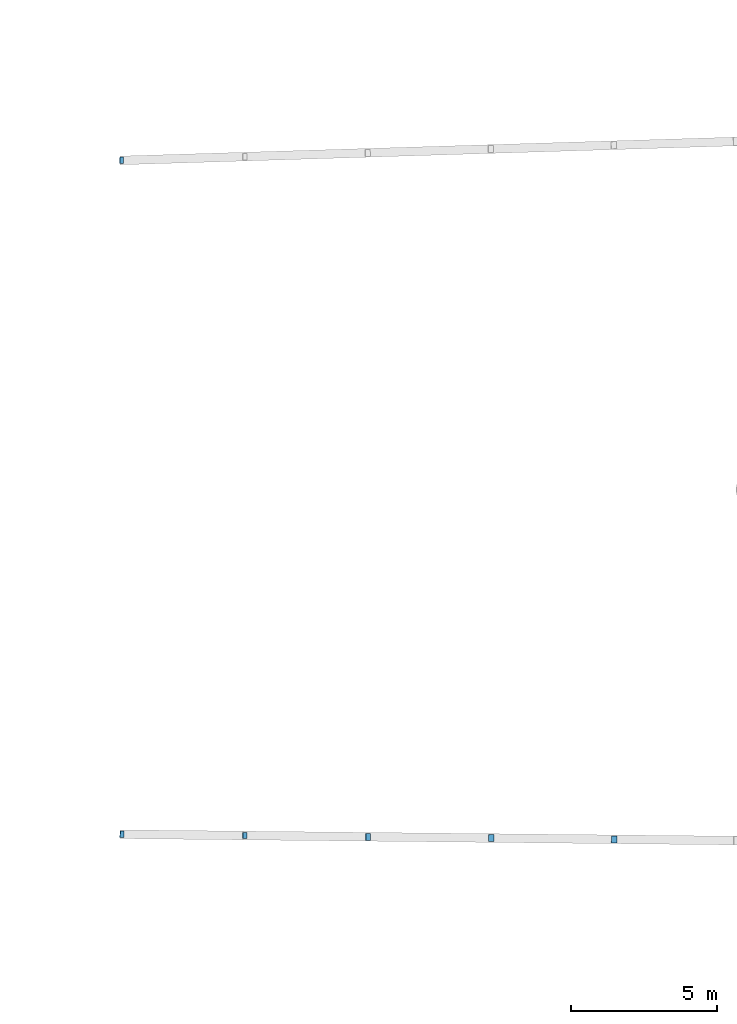
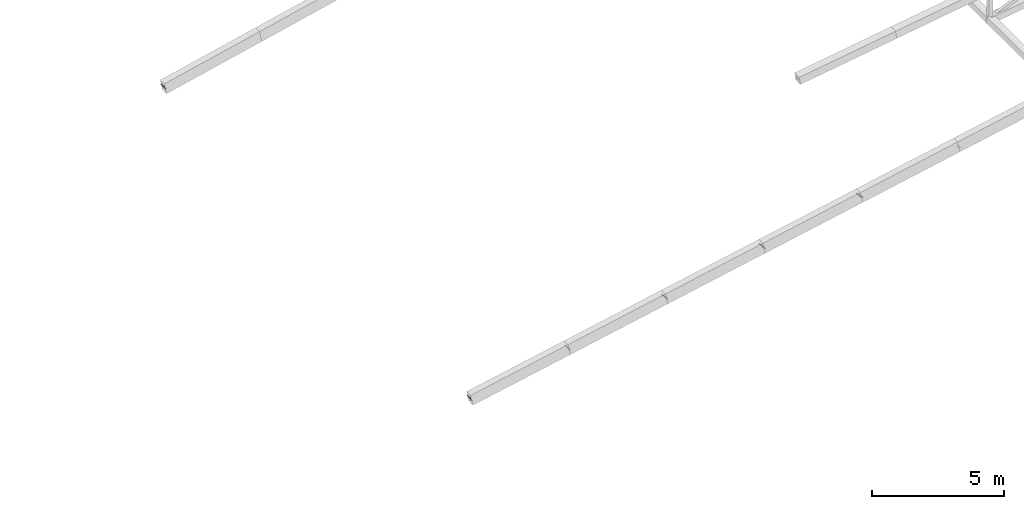
# One storey, part 152 of 188: 6 discrete accessories.
"""IFC4 building model written with IfcOpenShell, lengths in metres."""

import ifcopenshell
import ifcopenshell.guid

model = None  # the IFC model being written
_history = None  # IfcOwnerHistory: only IFC2X3 demands one
_inside = {}  # id of a spatial element -> (the spatial element, [elements in it])
_under = {}  # id of a project, library or spatial element -> (it, [spatial elements below it])
_declared = {}  # id of a project -> (the project, [libraries it declares])
_typed = {}  # id of a type object -> (the type object, [elements of that type])
_made_of = {}  # id of a material, layer set ... -> (it, [elements and type objects made of it])


def new_model(schema):
    """Start an empty IFC model of exactly this schema.

    Asked for "IFC4X3", IfcOpenShell would pick the latest addendum, in which some entities
    have other attributes; the version numbers below select the first issue.
    IFC2X3 requires an IfcOwnerHistory on every rooted entity: one is made here for all.
    """
    global model, _history
    if schema == "IFC4X3":
        model = ifcopenshell.file(schema_version=(4, 3, 0, 0))
    else:
        model = ifcopenshell.file(schema=schema)
    _inside.clear()
    _under.clear()
    _declared.clear()
    _typed.clear()
    _made_of.clear()
    _history = None
    if model.schema == "IFC2X3":
        org = make("IfcOrganization", Name="unknown")
        user = make(
            "IfcPersonAndOrganization",
            ThePerson=make("IfcPerson", FamilyName="unknown"),
            TheOrganization=org,
        )
        app = make(
            "IfcApplication",
            ApplicationDeveloper=org,
            Version="unknown",
            ApplicationFullName="unknown",
            ApplicationIdentifier="unknown",
        )
        _history = make(
            "IfcOwnerHistory",
            OwningUser=user,
            OwningApplication=app,
            ChangeAction="ADDED",
            CreationDate=0,
        )
    return model


def make(cls, **values):
    """One entity of the class cls with the attributes given. An attribute that is None is left unset."""
    return model.create_entity(
        cls, **{name: value for name, value in values.items() if value is not None}
    )


def rooted(cls, **values):
    """An entity with a GlobalId (a new one), such as an element, a storey or a relation."""
    return make(cls, GlobalId=ifcopenshell.guid.new(), OwnerHistory=_history, **values)


def si_unit(unit_type, name, prefix=None):
    """IfcSIUnit, for example si_unit("LENGTHUNIT", "METRE", prefix="MILLI")."""
    return make("IfcSIUnit", UnitType=unit_type, Prefix=prefix, Name=name)


def assignment(units):
    """IfcUnitAssignment: the units of a project."""
    return None if units is None else make("IfcUnitAssignment", Units=units)


def point(xyz):
    """IfcCartesianPoint."""
    return None if xyz is None else make("IfcCartesianPoint", Coordinates=xyz)


def direction(xyz):
    """IfcDirection."""
    return None if xyz is None else make("IfcDirection", DirectionRatios=xyz)


def frame(location, z_axis=None, x_axis=None):
    """IfcAxis2Placement3D, a coordinate frame: its origin and axes. An axis left out is left unset."""
    return make(
        "IfcAxis2Placement3D",
        Location=point(location),
        Axis=direction(z_axis),
        RefDirection=direction(x_axis),
    )


def frame_2d(location, x_axis=None):
    """IfcAxis2Placement2D, a coordinate frame in the plane: its origin and x axis."""
    return make(
        "IfcAxis2Placement2D", Location=point(location), RefDirection=direction(x_axis)
    )


def origin():
    """The frame at (0, 0, 0) with its axes left unset."""
    return frame((0.0, 0.0, 0.0))


def origin_2d():
    """The frame at (0, 0) in the plane with its x axis left unset."""
    return frame_2d((0.0, 0.0))


def place(relative_to, where):
    """IfcLocalPlacement: puts the frame where relative to a parent placement (None: the world)."""
    return make(
        "IfcLocalPlacement", PlacementRelTo=relative_to, RelativePlacement=where
    )


def context(
    kind, dimensions, precision=None, world=None, true_north=None, identifier=None
):
    """IfcGeometricRepresentationContext, for example the 3D "Model" context."""
    return make(
        "IfcGeometricRepresentationContext",
        ContextIdentifier=identifier,
        ContextType=kind,
        CoordinateSpaceDimension=dimensions,
        Precision=precision,
        WorldCoordinateSystem=world,
        TrueNorth=true_north,
    )


def subcontext(parent, identifier, kind, view, scale=None):
    """IfcGeometricRepresentationSubContext, for example "Body" below "Model"."""
    return make(
        "IfcGeometricRepresentationSubContext",
        ContextIdentifier=identifier,
        ContextType=kind,
        ParentContext=parent,
        TargetScale=scale,
        TargetView=view,
    )


def project(units=None, contexts=None):
    """IfcProject with its units and contexts."""
    return rooted(
        "IfcProject",
        Name="project",
        RepresentationContexts=contexts,
        UnitsInContext=assignment(units),
    )


def spatial(cls, under=None, at=None, **own):
    """A site, building, storey or space (cls), placed at a placement, below another one or the project."""
    s = rooted(cls, ObjectPlacement=at, **own)
    if under is not None:
        _under.setdefault(under.id(), (under, []))[1].append(s)
    return s


def profile(cls, at=None, kind="AREA", **sizes):
    """A parametric profile (cls). Its sizes go by their IFC names, for example OverallWidth=200.0."""
    return make(cls, ProfileType=kind, Position=at, **sizes)


def rectangle(**sizes):
    """IfcRectangleProfileDef."""
    return profile("IfcRectangleProfileDef", **sizes)


def extrude(swept, where, along, depth):
    """IfcExtrudedAreaSolid: the profile swept, set in the frame where, extruded along a direction by depth."""
    return make(
        "IfcExtrudedAreaSolid",
        SweptArea=swept,
        Position=where,
        ExtrudedDirection=direction(along),
        Depth=depth,
    )


def shape(context_of_items, identifier, shape_type, items):
    """IfcShapeRepresentation: the items that make up one representation, for example the "Body"."""
    return make(
        "IfcShapeRepresentation",
        ContextOfItems=context_of_items,
        RepresentationIdentifier=identifier,
        RepresentationType=shape_type,
        Items=items,
    )


def material(Name=None, Category=None):
    """IfcMaterial."""
    return make("IfcMaterial", Name=Name, Category=Category)


def material_profile(
    of_material, cross_section, Name=None, Category=None, Priority=None
):
    """IfcMaterialProfile: a cross section and its material."""
    return make(
        "IfcMaterialProfile",
        Name=Name,
        Material=of_material,
        Profile=cross_section,
        Priority=Priority,
        Category=Category,
    )


def profile_set(profiles, Name=None, composite=None):
    """IfcMaterialProfileSet."""
    return make(
        "IfcMaterialProfileSet",
        Name=Name,
        MaterialProfiles=profiles,
        CompositeProfile=composite,
    )


def made_of(thing, what):
    """Note that an element or type object is made of a material, layer set ...; save() writes the relation."""
    if what is not None:
        _made_of.setdefault(what.id(), (what, []))[1].append(thing)
    return thing


def type_object(cls, material=None, **own):
    """A type object (cls), such as IfcWallType, which elements share."""
    return made_of(rooted(cls, **own), material)


def element(
    cls,
    number,
    at=None,
    inside=None,
    cuts=None,
    type_object=None,
    material=None,
    context=None,
    identifier="Body",
    shape_type=None,
    held_by="IfcProductDefinitionShape",
    body=None,
    shapes=None,
    **own,
):
    """One element of the class cls, such as IfcWall. Its Tag is "e" and its number.

    at: its placement. inside: the storey or other place that contains it. cuts: it is an
    opening in that element (IfcRelVoidsElement). A single representation is given by context,
    identifier, shape_type and body (its items); several are given by shapes. held_by: the class
    of the entity that holds the representations. save() writes the other relations.
    """
    e = rooted(cls, Tag="e%d" % number, ObjectPlacement=at, **own)
    if body is not None:
        shapes = [shape(context, identifier, shape_type, body)]
    if shapes is not None:
        e.Representation = make(held_by, Representations=shapes)
    if inside is not None:
        _inside.setdefault(inside.id(), (inside, []))[1].append(e)
    if cuts is not None:
        rooted(
            "IfcRelVoidsElement", RelatingBuildingElement=cuts, RelatedOpeningElement=e
        )
    if type_object is not None:
        _typed.setdefault(type_object.id(), (type_object, []))[1].append(e)
    return made_of(e, material)


def aggregate(whole, parts):
    """IfcRelAggregates: a whole, such as a stair, and the parts it consists of."""
    return rooted("IfcRelAggregates", RelatingObject=whole, RelatedObjects=parts)


def save(model, path):
    """Write the relations noted so far, then the file.

    IfcRelAggregates (storeys below a building ...), IfcRelContainedInSpatialStructure (elements
    in a storey), IfcRelDefinesByType, IfcRelAssociatesMaterial and IfcRelDeclares: one each for
    every whole, place, type object, material and project.
    """
    for whole, parts in _under.values():
        aggregate(whole, parts)
    for where, things in _inside.values():
        rooted(
            "IfcRelContainedInSpatialStructure",
            RelatedElements=things,
            RelatingStructure=where,
        )
    for kind, things in _typed.values():
        rooted("IfcRelDefinesByType", RelatedObjects=things, RelatingType=kind)
    for what, things in _made_of.values():
        rooted("IfcRelAssociatesMaterial", RelatedObjects=things, RelatingMaterial=what)
    for by, libraries in _declared.values():
        rooted("IfcRelDeclares", RelatingContext=by, RelatedDefinitions=libraries)
    model.write(path)


model = new_model("IFC4")

# Units and contexts
model_context = context("Model", 3, precision=1e-05, world=origin(), true_north=direction((0.0, 1.0)))
body_context = subcontext(model_context, "Body", "Model", "MODEL_VIEW")
ifc_project = project(units=[si_unit("LENGTHUNIT", "METRE"), si_unit("AREAUNIT", "SQUARE_METRE"), si_unit("VOLUMEUNIT", "CUBIC_METRE"), si_unit("PLANEANGLEUNIT", "RADIAN"), si_unit("MASSUNIT", "GRAM", prefix="KILO")], contexts=[model_context])

# Site, building, storey
site_placement = place(None, origin())
site = spatial("IfcSite", under=ifc_project, at=site_placement, CompositionType="ELEMENT")
building_placement = place(site_placement, origin())
building = spatial("IfcBuilding", under=site, at=building_placement, Name="Meseta Stadium", CompositionType="ELEMENT")
storey_placement = place(building_placement, frame((0.0, 0.0, 30.0)))
storey = spatial("IfcBuildingStorey", under=building, at=storey_placement, Name="ROOF", CompositionType="ELEMENT", Elevation=30.0)

# Discrete accessories
ifc_material_1 = material(Name="Steel S355", Category="steel")
ifc_material_profile_1 = material_profile(ifc_material_1, rectangle(XDim=0.219970703125, YDim=0.219970703125, at=origin_2d()), Name="PL 220x220")
ifc_profile_set_1 = profile_set([ifc_material_profile_1], Name="Steel S355")
discrete_accessory_type_1 = type_object("IfcDiscreteAccessoryType", Name="End plate 220x220x20", PredefinedType="ANCHORPLATE", material=ifc_profile_set_1)
for number, where, z_axis, x_axis, name in (
    (1, (55.443603515625, -5.777587890625, 0.873291015625), (0.828221974607, -0.012179734921, 0.560267806352), (0.014704292442, 0.999891886048, 0.0), "End plate of ROOF TRUSS RT-04 diagonal"),
    (2, (59.66552734375, -5.821044921875, 1.7578125), (0.776114000116, 0.0, 0.630592625094), (0.0, 1.0, 0.0), "End plate of ROOF TRUSS RT-04 diagonal"),
    (3, (55.437255859375, 17.33251953125, 1.21728515625), (0.83368147445, 0.024520043366, 0.551700975739), (-0.029399051602, 0.999567754464, 0.0), "End plate of ROOF TRUSS RT-06 diagonal"),
):
    element("IfcDiscreteAccessory", number, at=place(storey_placement, frame(where, z_axis=z_axis, x_axis=x_axis)), inside=storey, type_object=discrete_accessory_type_1, Name=name, PredefinedType="ANCHORPLATE", context=body_context, shape_type="SweptSolid", body=[
        extrude(rectangle(XDim=0.219970703125, YDim=0.219970703125, at=origin_2d()), origin(), (0.0, 0.0, 1.0), 0.02001953125),
    ])
ifc_material_2 = material(Name="Steel S355", Category="steel")
ifc_material_profile_2 = material_profile(ifc_material_2, rectangle(XDim=0.239990234375, YDim=0.239990234375, at=origin_2d()), Name="PL 240x240")
ifc_profile_set_2 = profile_set([ifc_material_profile_2], Name="Steel S355")
discrete_accessory_type_2 = type_object("IfcDiscreteAccessoryType", Name="End plate 240x240x20", PredefinedType="ANCHORPLATE", material=ifc_profile_set_2)
for number, where, z_axis, x_axis, name in (
    (4, (63.8876953125, -5.864501953125, 2.642333984375), (0.731055268243, 0.0, 0.68231825036), (0.0, 1.0, 0.0), "End plate of ROOF TRUSS RT-04 diagonal"),
    (5, (68.109619140625, -5.90771484375, 3.52685546875), (0.68226760886, -0.012183350158, 0.731001009493), (0.017854296417, 0.999840599345, 0.0), "End plate of ROOF TRUSS RT-04 diagonal"),
    (6, (72.33154296875, -5.951171875, 4.411376953125), (0.643714145309, -0.012145549911, 0.765169644423), (0.018864566948, 0.999822048224, 0.0), "End plate of ROOF TRUSS RT-04 diagonal"),
):
    element("IfcDiscreteAccessory", number, at=place(storey_placement, frame(where, z_axis=z_axis, x_axis=x_axis)), inside=storey, type_object=discrete_accessory_type_2, Name=name, PredefinedType="ANCHORPLATE", context=body_context, shape_type="SweptSolid", body=[
        extrude(rectangle(XDim=0.239990234375, YDim=0.239990234375, at=origin_2d()), origin(), (0.0, 0.0, 1.0), 0.02001953125),
    ])

save(model, "model.ifc")
